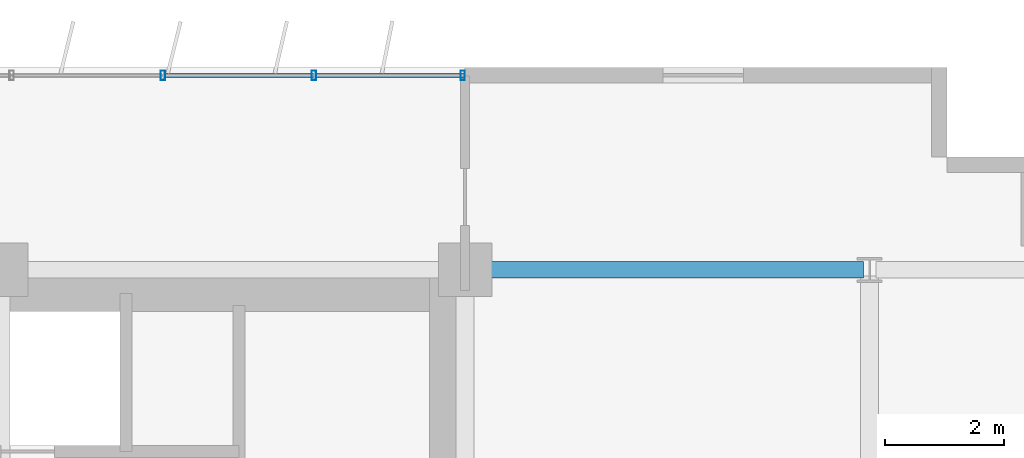
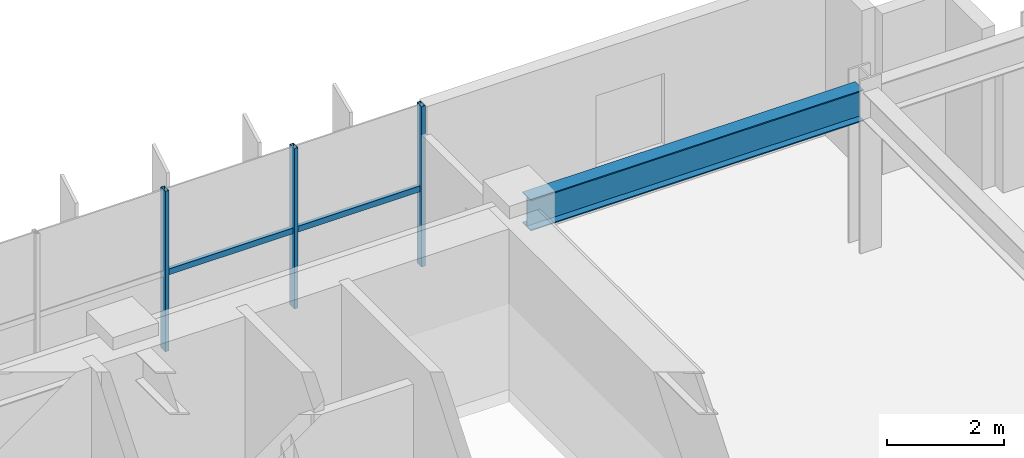
# One storey, part 12 of 22: 5 members, 1 beam, 1 element without a shape of its own.
"""IFC4 building model written with IfcOpenShell, lengths in metres."""

from ifc_helpers import new_model, si_unit, direction, frame, origin, origin_2d, place, context, subcontext, project, spatial, hollow_rectangle, i_section, extrude, source, transform, mapped, material, material_profile, profile_set, type_object, element, aggregate, save


model = new_model("IFC4")

# Units and contexts
model_context = context("Model", 3, precision=1e-05, world=origin(), true_north=direction((0.0, 1.0)))
body_context = subcontext(model_context, "Body", "Model", "MODEL_VIEW")
ifc_project = project(units=[si_unit("LENGTHUNIT", "METRE"), si_unit("AREAUNIT", "SQUARE_METRE"), si_unit("VOLUMEUNIT", "CUBIC_METRE"), si_unit("PLANEANGLEUNIT", "RADIAN"), si_unit("MASSUNIT", "GRAM", prefix="KILO")], contexts=[model_context])

# Site, building, storey
site_placement = place(None, origin())
site = spatial("IfcSite", under=ifc_project, at=site_placement, CompositionType="ELEMENT")
building_placement = place(site_placement, origin())
building = spatial("IfcBuilding", under=site, at=building_placement, Name="Trelvane Seafront Commons", CompositionType="ELEMENT")
storey_placement = place(building_placement, frame((0.0, 0.0, 59.5)))
storey = spatial("IfcBuildingStorey", under=building, at=storey_placement, Name="L15", CompositionType="ELEMENT", Elevation=59.5)

# Beam
ifc_material_1 = material(Name="Steel SM355 (S355)", Category="steel")
ifc_material_profile_1 = material_profile(ifc_material_1, i_section(OverallWidth=0.280029296875, OverallDepth=0.64990234375, WebThickness=0.012939453125, FlangeThickness=0.02197265625, at=origin_2d()), Name="H-650x280x13x22")
ifc_profile_set_1 = profile_set([ifc_material_profile_1], Name="Steel SM355 (S355)")
beam_type = type_object("IfcBeamType", Name="STR-BM-H650", PredefinedType="BEAM", material=ifc_profile_set_1)
shared_shape_1 = source(origin(), body_context, "Body", "SweptSolid", [
    extrude(i_section(OverallWidth=0.280029296875, OverallDepth=0.64990234375, WebThickness=0.012939453125, FlangeThickness=0.02197265625, at=origin_2d()), origin(), (0.0, 0.0, 1.0), 6.545166015625),
])
beam_placement = place(storey_placement, frame((58.949951171875, 45.10009765625, 3.014892578125), z_axis=(1.0, 0.0, 0.0), x_axis=(0.0, 1.0, 0.0)))
element("IfcBeam", 1, at=beam_placement, inside=storey, type_object=beam_type, Name="L15 Primary Girder G-35", PredefinedType="BEAM", context=body_context, shape_type="MappedRepresentation", body=[
    mapped(shared_shape_1, transform((0.0, 0.0, 0.0), x_axis=(1.0, 0.0, 0.0), y_axis=(0.0, 1.0, 0.0), z_axis=(0.0, 0.0, 1.0), scale=1.0)),
])

# Curtain wall, members
ifc_material_2 = material(Name="Anodised pale-silver aluminium", Category="aluminium")
curtain_wall_type = type_object("IfcCurtainWallType", Name="ARCH-CW2-LOWTOWER", PredefinedType="NOTDEFINED", material=ifc_material_2)
curtain_wall_placement = place(storey_placement, origin())
curtain_wall = element("IfcCurtainWall", 2, at=curtain_wall_placement, inside=storey, type_object=curtain_wall_type, Name="CW-L15-0039", PredefinedType="NOTDEFINED")
ifc_material_profile_2 = material_profile(ifc_material_2, hollow_rectangle(XDim=0.074951171875, YDim=0.159912109375, WallThickness=0.00390625, at=origin_2d()), Name="MULL-75x160x4")
ifc_profile_set_2 = profile_set([ifc_material_profile_2], Name="Anodised pale-silver aluminium")
member_type_1 = type_object("IfcMemberType", Name="ARCH-CW-MULL-160", PredefinedType="MULLION", material=ifc_profile_set_2)
shared_shape_2 = source(origin(), body_context, "Body", "SweptSolid", [
    extrude(hollow_rectangle(XDim=0.074951171875, YDim=0.159912109375, WallThickness=0.00390625, at=origin_2d()), origin(), (0.0, 0.0, 1.0), 3.340087890625),
])
member_1_placement = place(storey_placement, frame((53.717529296875, 48.3701171875, 0.0), z_axis=(0.0, 0.0, 1.0), x_axis=(1.0, 0.0, 0.0)))
member_1 = element("IfcMember", 3, at=member_1_placement, type_object=member_type_1, Name="CW-L15-0039-M15", PredefinedType="MULLION", context=body_context, shape_type="MappedRepresentation", body=[
    mapped(shared_shape_2, transform((0.0, 0.0, 0.0), x_axis=(1.0, 0.0, 0.0), y_axis=(0.0, 1.0, 0.0), z_axis=(0.0, 0.0, 1.0), scale=1.0)),
])
member_2_placement = place(storey_placement, frame((56.2587890625, 48.3701171875, 0.0), z_axis=(0.0, 0.0, 1.0), x_axis=(1.0, 0.0, 0.0)))
member_2 = element("IfcMember", 4, at=member_2_placement, type_object=member_type_1, Name="CW-L15-0039-M16", PredefinedType="MULLION", context=body_context, shape_type="MappedRepresentation", body=[
    mapped(shared_shape_2, transform((0.0, 0.0, 0.0), x_axis=(1.0, 0.0, 0.0), y_axis=(0.0, 1.0, 0.0), z_axis=(0.0, 0.0, 1.0), scale=1.0)),
])
member_3_placement = place(storey_placement, frame((58.760009765625, 48.3701171875, 0.0), z_axis=(0.0, 0.0, 1.0), x_axis=(1.0, 0.0, 0.0)))
member_3 = element("IfcMember", 5, at=member_3_placement, type_object=member_type_1, Name="CW-L15-0039-M17", PredefinedType="MULLION", context=body_context, shape_type="MappedRepresentation", body=[
    mapped(shared_shape_2, transform((0.0, 0.0, 0.0), x_axis=(1.0, 0.0, 0.0), y_axis=(0.0, 1.0, 0.0), z_axis=(0.0, 0.0, 1.0), scale=1.0)),
])
ifc_material_profile_3 = material_profile(ifc_material_2, hollow_rectangle(XDim=0.070068359375, YDim=0.1201171875, WallThickness=0.00390625, at=origin_2d()), Name="TRAN-70x120x4")
ifc_profile_set_3 = profile_set([ifc_material_profile_3], Name="Anodised pale-silver aluminium")
member_type_2 = type_object("IfcMemberType", Name="ARCH-CW-TRAN-120", PredefinedType="USERDEFINED", material=ifc_profile_set_3)
shared_shape_3 = source(origin(), body_context, "Body", "SweptSolid", [
    extrude(hollow_rectangle(XDim=0.070068359375, YDim=0.1201171875, WallThickness=0.00390625, at=origin_2d()), origin(), (0.0, 0.0, 1.0), 2.517333984375),
])
member_4_placement = place(storey_placement, frame((53.7294921875, 48.3701171875, 1.60302734375), z_axis=(1.0, 0.0, 0.0), x_axis=(0.0, 1.0, 0.0)))
member_4 = element("IfcMember", 6, at=member_4_placement, type_object=member_type_2, Name="CW-L15-0039-T15", ObjectType="TRANSOM", PredefinedType="USERDEFINED", context=body_context, shape_type="MappedRepresentation", body=[
    mapped(shared_shape_3, transform((0.0, 0.0, 0.0), x_axis=(1.0, 0.0, 0.0), y_axis=(0.0, 1.0, 0.0), z_axis=(0.0, 0.0, 1.0), scale=1.0)),
])
member_5_placement = place(storey_placement, frame((56.270751953125, 48.3701171875, 1.60302734375), z_axis=(1.0, 0.0, 0.0), x_axis=(0.0, 1.0, 0.0)))
member_5 = element("IfcMember", 7, at=member_5_placement, type_object=member_type_2, Name="CW-L15-0039-T16", ObjectType="TRANSOM", PredefinedType="USERDEFINED", context=body_context, shape_type="MappedRepresentation", body=[
    mapped(shared_shape_3, transform((0.0, 0.0, 0.0), x_axis=(1.0, 0.0, 0.0), y_axis=(0.0, 1.0, 0.0), z_axis=(0.0, 0.0, 1.0), scale=1.0)),
])
aggregate(curtain_wall, [member_1, member_2, member_3, member_4, member_5])

save(model, "model.ifc")
